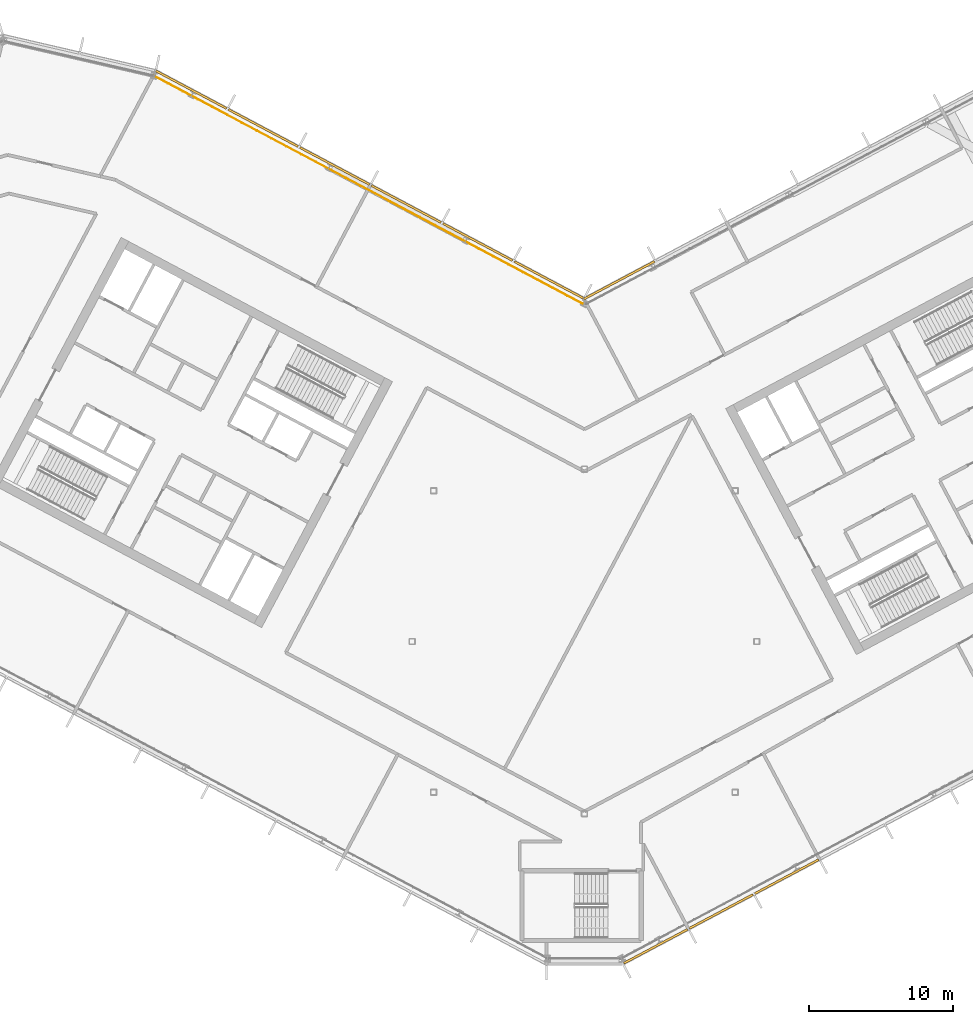
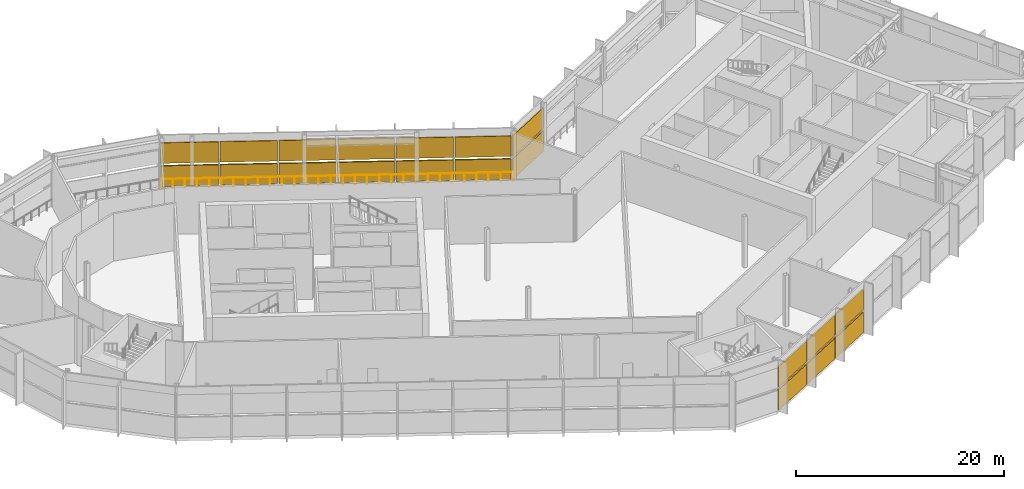
# One storey, part 28 of 33: 20 shading devices, 1 railing, 3 elements without a shape of their own.
"""IFC4 building model written with IfcOpenShell, lengths in metres."""

from ifc_helpers import new_model, si_unit, direction, frame, origin, origin_2d, place, context, subcontext, project, spatial, polyline, rectangle, outline, extrude, material, layer, layer_set, type_object, element, aggregate, save


model = new_model("IFC4")

# Units and contexts
model_context = context("Model", 3, precision=1e-05, world=origin(), true_north=direction((0.0, 1.0)))
body_context = subcontext(model_context, "Body", "Model", "MODEL_VIEW")
ifc_project = project(units=[si_unit("LENGTHUNIT", "METRE"), si_unit("AREAUNIT", "SQUARE_METRE"), si_unit("VOLUMEUNIT", "CUBIC_METRE"), si_unit("PLANEANGLEUNIT", "RADIAN"), si_unit("MASSUNIT", "GRAM", prefix="KILO")], contexts=[model_context])

# Site, building, storey
site_placement = place(None, origin())
site = spatial("IfcSite", under=ifc_project, at=site_placement, CompositionType="ELEMENT")
building_placement = place(site_placement, origin())
building = spatial("IfcBuilding", under=site, at=building_placement, Name="Cormorant Relay Tower", CompositionType="ELEMENT")
storey_placement = place(building_placement, frame((0.0, 0.0, 252.0)))
storey = spatial("IfcBuildingStorey", under=building, at=storey_placement, Name="L56", CompositionType="ELEMENT", Elevation=252.0)

# Railing
ifc_material_1 = material(Name="Stainless steel 316 guard", Category="steel")
railing_type = type_object("IfcRailingType", Name="Band louvre guard 1100", PredefinedType="GUARDRAIL", material=ifc_material_1)
railing_placement = place(storey_placement, frame((-0.140869140625, 23.51904296875, 0.0)))
element("IfcRailing", 1, at=railing_placement, inside=storey, type_object=railing_type, Name="CW4 guard 9", PredefinedType="GUARDRAIL", context=body_context, shape_type="SweptSolid", body=[
    extrude(outline(polyline([(0.022216796875, 0.00927734375), (0.00927734375, 0.022216796875), (-0.00927734375, 0.022216796875), (-0.022216796875, 0.00927734375), (-0.022216796875, -0.00927734375), (-0.00927734375, -0.022216796875), (0.00927734375, -0.022216796875), (0.022216796875, -0.00927734375), (0.022216796875, 0.00927734375)])), frame((0.0, 0.0, 1.076171875), z_axis=(-0.882946280328, 0.46947403129, 0.0), x_axis=(-0.46947403129, -0.882946280328, 0.0)), (0.0, 0.0, 1.0), 33.834228515625),
    extrude(outline(polyline([(0.019287109375, 0.008056640625), (0.008056640625, 0.019287109375), (-0.008056640625, 0.019287109375), (-0.019287109375, 0.008056640625), (-0.019287109375, -0.008056640625), (-0.008056640625, -0.019287109375), (0.008056640625, -0.019287109375), (0.019287109375, -0.008056640625), (0.019287109375, 0.008056640625)])), origin(), (0.0, 0.0, 1.0), 1.052001953125),
    extrude(outline(polyline([(0.019287109375, 0.008056640625), (0.008056640625, 0.019287109375), (-0.008056640625, 0.019287109375), (-0.019287109375, 0.008056640625), (-0.019287109375, -0.008056640625), (-0.008056640625, -0.019287109375), (0.008056640625, -0.019287109375), (0.019287109375, -0.008056640625), (0.019287109375, 0.008056640625)])), frame((-1.030029296875, 0.5478515625, 0.0)), (0.0, 0.0, 1.0), 1.052001953125),
    extrude(outline(polyline([(0.019287109375, 0.008056640625), (0.008056640625, 0.019287109375), (-0.008056640625, 0.019287109375), (-0.019287109375, 0.008056640625), (-0.019287109375, -0.008056640625), (-0.008056640625, -0.019287109375), (0.008056640625, -0.019287109375), (0.019287109375, -0.008056640625), (0.019287109375, 0.008056640625)])), frame((-2.060302734375, 1.095458984375, 0.0)), (0.0, 0.0, 1.0), 1.052001953125),
    extrude(outline(polyline([(0.019287109375, 0.008056640625), (0.008056640625, 0.019287109375), (-0.008056640625, 0.019287109375), (-0.019287109375, 0.008056640625), (-0.019287109375, -0.008056640625), (-0.008056640625, -0.019287109375), (0.008056640625, -0.019287109375), (0.019287109375, -0.008056640625), (0.019287109375, 0.008056640625)])), frame((-3.09033203125, 1.643310546875, 0.0)), (0.0, 0.0, 1.0), 1.052001953125),
    extrude(outline(polyline([(0.019287109375, 0.008056640625), (0.008056640625, 0.019287109375), (-0.008056640625, 0.019287109375), (-0.019287109375, 0.008056640625), (-0.019287109375, -0.008056640625), (-0.008056640625, -0.019287109375), (0.008056640625, -0.019287109375), (0.019287109375, -0.008056640625), (0.019287109375, 0.008056640625)])), frame((-4.12060546875, 2.19091796875, 0.0)), (0.0, 0.0, 1.0), 1.052001953125),
    extrude(outline(polyline([(0.019287109375, 0.008056640625), (0.008056640625, 0.019287109375), (-0.008056640625, 0.019287109375), (-0.019287109375, 0.008056640625), (-0.019287109375, -0.008056640625), (-0.008056640625, -0.019287109375), (0.008056640625, -0.019287109375), (0.019287109375, -0.008056640625), (0.019287109375, 0.008056640625)])), frame((-5.150634765625, 2.73876953125, 0.0)), (0.0, 0.0, 1.0), 1.052001953125),
    extrude(outline(polyline([(0.019287109375, 0.008056640625), (0.008056640625, 0.019287109375), (-0.008056640625, 0.019287109375), (-0.019287109375, 0.008056640625), (-0.019287109375, -0.008056640625), (-0.008056640625, -0.019287109375), (0.008056640625, -0.019287109375), (0.019287109375, -0.008056640625), (0.019287109375, 0.008056640625)])), frame((-6.1806640625, 3.286376953125, 0.0)), (0.0, 0.0, 1.0), 1.052001953125),
    extrude(outline(polyline([(0.019287109375, 0.008056640625), (0.008056640625, 0.019287109375), (-0.008056640625, 0.019287109375), (-0.019287109375, 0.008056640625), (-0.019287109375, -0.008056640625), (-0.008056640625, -0.019287109375), (0.008056640625, -0.019287109375), (0.019287109375, -0.008056640625), (0.019287109375, 0.008056640625)])), frame((-7.2109375, 3.834228515625, 0.0)), (0.0, 0.0, 1.0), 1.052001953125),
    extrude(outline(polyline([(0.019287109375, 0.008056640625), (0.008056640625, 0.019287109375), (-0.008056640625, 0.019287109375), (-0.019287109375, 0.008056640625), (-0.019287109375, -0.008056640625), (-0.008056640625, -0.019287109375), (0.008056640625, -0.019287109375), (0.019287109375, -0.008056640625), (0.019287109375, 0.008056640625)])), frame((-8.240966796875, 4.3818359375, 0.0)), (0.0, 0.0, 1.0), 1.052001953125),
    extrude(outline(polyline([(0.019287109375, 0.008056640625), (0.008056640625, 0.019287109375), (-0.008056640625, 0.019287109375), (-0.019287109375, 0.008056640625), (-0.019287109375, -0.008056640625), (-0.008056640625, -0.019287109375), (0.008056640625, -0.019287109375), (0.019287109375, -0.008056640625), (0.019287109375, 0.008056640625)])), frame((-9.271240234375, 4.9296875, 0.0)), (0.0, 0.0, 1.0), 1.052001953125),
    extrude(outline(polyline([(0.019287109375, 0.008056640625), (0.008056640625, 0.019287109375), (-0.008056640625, 0.019287109375), (-0.019287109375, 0.008056640625), (-0.019287109375, -0.008056640625), (-0.008056640625, -0.019287109375), (0.008056640625, -0.019287109375), (0.019287109375, -0.008056640625), (0.019287109375, 0.008056640625)])), frame((-10.30126953125, 5.477294921875, 0.0)), (0.0, 0.0, 1.0), 1.052001953125),
    extrude(outline(polyline([(0.019287109375, 0.008056640625), (0.008056640625, 0.019287109375), (-0.008056640625, 0.019287109375), (-0.019287109375, 0.008056640625), (-0.019287109375, -0.008056640625), (-0.008056640625, -0.019287109375), (0.008056640625, -0.019287109375), (0.019287109375, -0.008056640625), (0.019287109375, 0.008056640625)])), frame((-11.33154296875, 6.025146484375, 0.0)), (0.0, 0.0, 1.0), 1.052001953125),
    extrude(outline(polyline([(0.019287109375, 0.008056640625), (0.008056640625, 0.019287109375), (-0.008056640625, 0.019287109375), (-0.019287109375, 0.008056640625), (-0.019287109375, -0.008056640625), (-0.008056640625, -0.019287109375), (0.008056640625, -0.019287109375), (0.019287109375, -0.008056640625), (0.019287109375, 0.008056640625)])), frame((-12.361572265625, 6.57275390625, 0.0)), (0.0, 0.0, 1.0), 1.052001953125),
    extrude(outline(polyline([(0.019287109375, 0.008056640625), (0.008056640625, 0.019287109375), (-0.008056640625, 0.019287109375), (-0.019287109375, 0.008056640625), (-0.019287109375, -0.008056640625), (-0.008056640625, -0.019287109375), (0.008056640625, -0.019287109375), (0.019287109375, -0.008056640625), (0.019287109375, 0.008056640625)])), frame((-13.3916015625, 7.12060546875, 0.0)), (0.0, 0.0, 1.0), 1.052001953125),
    extrude(outline(polyline([(0.019287109375, 0.008056640625), (0.008056640625, 0.019287109375), (-0.008056640625, 0.019287109375), (-0.019287109375, 0.008056640625), (-0.019287109375, -0.008056640625), (-0.008056640625, -0.019287109375), (0.008056640625, -0.019287109375), (0.019287109375, -0.008056640625), (0.019287109375, 0.008056640625)])), frame((-14.421875, 7.668212890625, 0.0)), (0.0, 0.0, 1.0), 1.052001953125),
    extrude(outline(polyline([(0.019287109375, 0.008056640625), (0.008056640625, 0.019287109375), (-0.008056640625, 0.019287109375), (-0.019287109375, 0.008056640625), (-0.019287109375, -0.008056640625), (-0.008056640625, -0.019287109375), (0.008056640625, -0.019287109375), (0.019287109375, -0.008056640625), (0.019287109375, 0.008056640625)])), frame((-15.451904296875, 8.216064453125, 0.0)), (0.0, 0.0, 1.0), 1.052001953125),
    extrude(outline(polyline([(0.019287109375, 0.008056640625), (0.008056640625, 0.019287109375), (-0.008056640625, 0.019287109375), (-0.019287109375, 0.008056640625), (-0.019287109375, -0.008056640625), (-0.008056640625, -0.019287109375), (0.008056640625, -0.019287109375), (0.019287109375, -0.008056640625), (0.019287109375, 0.008056640625)])), frame((-16.482177734375, 8.763671875, 0.0)), (0.0, 0.0, 1.0), 1.052001953125),
    extrude(outline(polyline([(0.019287109375, 0.008056640625), (0.008056640625, 0.019287109375), (-0.008056640625, 0.019287109375), (-0.019287109375, 0.008056640625), (-0.019287109375, -0.008056640625), (-0.008056640625, -0.019287109375), (0.008056640625, -0.019287109375), (0.019287109375, -0.008056640625), (0.019287109375, 0.008056640625)])), frame((-17.51220703125, 9.3115234375, 0.0)), (0.0, 0.0, 1.0), 1.052001953125),
    extrude(outline(polyline([(0.019287109375, 0.008056640625), (0.008056640625, 0.019287109375), (-0.008056640625, 0.019287109375), (-0.019287109375, 0.008056640625), (-0.019287109375, -0.008056640625), (-0.008056640625, -0.019287109375), (0.008056640625, -0.019287109375), (0.019287109375, -0.008056640625), (0.019287109375, 0.008056640625)])), frame((-18.542236328125, 9.859130859375, 0.0)), (0.0, 0.0, 1.0), 1.052001953125),
    extrude(outline(polyline([(0.019287109375, 0.008056640625), (0.008056640625, 0.019287109375), (-0.008056640625, 0.019287109375), (-0.019287109375, 0.008056640625), (-0.019287109375, -0.008056640625), (-0.008056640625, -0.019287109375), (0.008056640625, -0.019287109375), (0.019287109375, -0.008056640625), (0.019287109375, 0.008056640625)])), frame((-19.572509765625, 10.406982421875, 0.0)), (0.0, 0.0, 1.0), 1.052001953125),
    extrude(outline(polyline([(0.019287109375, 0.008056640625), (0.008056640625, 0.019287109375), (-0.008056640625, 0.019287109375), (-0.019287109375, 0.008056640625), (-0.019287109375, -0.008056640625), (-0.008056640625, -0.019287109375), (0.008056640625, -0.019287109375), (0.019287109375, -0.008056640625), (0.019287109375, 0.008056640625)])), frame((-20.6025390625, 10.95458984375, 0.0)), (0.0, 0.0, 1.0), 1.052001953125),
    extrude(outline(polyline([(0.019287109375, 0.008056640625), (0.008056640625, 0.019287109375), (-0.008056640625, 0.019287109375), (-0.019287109375, 0.008056640625), (-0.019287109375, -0.008056640625), (-0.008056640625, -0.019287109375), (0.008056640625, -0.019287109375), (0.019287109375, -0.008056640625), (0.019287109375, 0.008056640625)])), frame((-21.6328125, 11.50244140625, 0.0)), (0.0, 0.0, 1.0), 1.052001953125),
    extrude(outline(polyline([(0.019287109375, 0.008056640625), (0.008056640625, 0.019287109375), (-0.008056640625, 0.019287109375), (-0.019287109375, 0.008056640625), (-0.019287109375, -0.008056640625), (-0.008056640625, -0.019287109375), (0.008056640625, -0.019287109375), (0.019287109375, -0.008056640625), (0.019287109375, 0.008056640625)])), frame((-22.662841796875, 12.050048828125, 0.0)), (0.0, 0.0, 1.0), 1.052001953125),
    extrude(outline(polyline([(0.019287109375, 0.008056640625), (0.008056640625, 0.019287109375), (-0.008056640625, 0.019287109375), (-0.019287109375, 0.008056640625), (-0.019287109375, -0.008056640625), (-0.008056640625, -0.019287109375), (0.008056640625, -0.019287109375), (0.019287109375, -0.008056640625), (0.019287109375, 0.008056640625)])), frame((-23.693115234375, 12.597900390625, 0.0)), (0.0, 0.0, 1.0), 1.052001953125),
    extrude(outline(polyline([(0.019287109375, 0.008056640625), (0.008056640625, 0.019287109375), (-0.008056640625, 0.019287109375), (-0.019287109375, 0.008056640625), (-0.019287109375, -0.008056640625), (-0.008056640625, -0.019287109375), (0.008056640625, -0.019287109375), (0.019287109375, -0.008056640625), (0.019287109375, 0.008056640625)])), frame((-24.72314453125, 13.1455078125, 0.0)), (0.0, 0.0, 1.0), 1.052001953125),
    extrude(outline(polyline([(0.019287109375, 0.008056640625), (0.008056640625, 0.019287109375), (-0.008056640625, 0.019287109375), (-0.019287109375, 0.008056640625), (-0.019287109375, -0.008056640625), (-0.008056640625, -0.019287109375), (0.008056640625, -0.019287109375), (0.019287109375, -0.008056640625), (0.019287109375, 0.008056640625)])), frame((-25.753173828125, 13.693359375, 0.0)), (0.0, 0.0, 1.0), 1.052001953125),
    extrude(outline(polyline([(0.019287109375, 0.008056640625), (0.008056640625, 0.019287109375), (-0.008056640625, 0.019287109375), (-0.019287109375, 0.008056640625), (-0.019287109375, -0.008056640625), (-0.008056640625, -0.019287109375), (0.008056640625, -0.019287109375), (0.019287109375, -0.008056640625), (0.019287109375, 0.008056640625)])), frame((-26.783447265625, 14.240966796875, 0.0)), (0.0, 0.0, 1.0), 1.052001953125),
    extrude(outline(polyline([(0.019287109375, 0.008056640625), (0.008056640625, 0.019287109375), (-0.008056640625, 0.019287109375), (-0.019287109375, 0.008056640625), (-0.019287109375, -0.008056640625), (-0.008056640625, -0.019287109375), (0.008056640625, -0.019287109375), (0.019287109375, -0.008056640625), (0.019287109375, 0.008056640625)])), frame((-27.8134765625, 14.788818359375, 0.0)), (0.0, 0.0, 1.0), 1.052001953125),
    extrude(outline(polyline([(0.019287109375, 0.008056640625), (0.008056640625, 0.019287109375), (-0.008056640625, 0.019287109375), (-0.019287109375, 0.008056640625), (-0.019287109375, -0.008056640625), (-0.008056640625, -0.019287109375), (0.008056640625, -0.019287109375), (0.019287109375, -0.008056640625), (0.019287109375, 0.008056640625)])), frame((-28.84375, 15.33642578125, 0.0)), (0.0, 0.0, 1.0), 1.052001953125),
    extrude(outline(polyline([(0.019287109375, 0.008056640625), (0.008056640625, 0.019287109375), (-0.008056640625, 0.019287109375), (-0.019287109375, 0.008056640625), (-0.019287109375, -0.008056640625), (-0.008056640625, -0.019287109375), (0.008056640625, -0.019287109375), (0.019287109375, -0.008056640625), (0.019287109375, 0.008056640625)])), frame((-29.873779296875, 15.88427734375, 0.0)), (0.0, 0.0, 1.0), 1.052001953125),
])

# Curtain wall, shading devices
ifc_material_2 = material(Name="Aluminium 6063-T6 anodised bronze", Category="aluminium")
ifc_layer = layer(ifc_material_2, 0.199951171875)
ifc_layer_set = layer_set([ifc_layer], Name="CW4 band louvre wall")
curtain_wall_type = type_object("IfcCurtainWallType", Name="CW4 band louvre wall", PredefinedType="NOTDEFINED", material=ifc_layer_set)
curtain_wall_1_placement = place(storey_placement, origin())
curtain_wall_1 = element("IfcCurtainWall", 2, at=curtain_wall_1_placement, inside=storey, type_object=curtain_wall_type, Name="CW4 curtain wall 2", PredefinedType="NOTDEFINED")
ifc_material_3 = material(Name="Aluminium 6063-T6 anodised bronze louvre", Category="aluminium")
shading_device_type = type_object("IfcShadingDeviceType", Name="CW4 bronze louvre bank 150 x 2400", PredefinedType="USERDEFINED", material=ifc_material_3)
shading_device_1_placement = place(storey_placement, frame((4.965087890625, -21.22900390625, 2.699951171875), z_axis=(0.0, 0.0, 1.0), x_axis=(0.882947592859, 0.469471562786, 0.0)))
shading_device_1 = element("IfcShadingDevice", 3, at=shading_device_1_placement, type_object=shading_device_type, Name="CW4 louvre bank U2.1", ObjectType="LOUVRE", PredefinedType="USERDEFINED", context=body_context, shape_type="SweptSolid", body=[
    extrude(rectangle(XDim=5.0166015625, YDim=0.14990234375, at=origin_2d()), origin(), (0.0, 0.0, 1.0), 2.39990234375),
])
shading_device_2_placement = place(storey_placement, frame((4.965087890625, -21.22900390625, 0.0), z_axis=(0.0, 0.0, 1.0), x_axis=(0.882947592859, 0.469471562786, 0.0)))
shading_device_2 = element("IfcShadingDevice", 4, at=shading_device_2_placement, type_object=shading_device_type, Name="CW4 louvre bank D2.1", ObjectType="LOUVRE", PredefinedType="USERDEFINED", context=body_context, shape_type="SweptSolid", body=[
    extrude(rectangle(XDim=5.0166015625, YDim=0.14990234375, at=origin_2d()), origin(), (0.0, 0.0, 1.0), 2.39990234375),
])
shading_device_3_placement = place(storey_placement, frame((9.52685546875, -18.803466796875, 2.699951171875), z_axis=(0.0, 0.0, 1.0), x_axis=(0.882947592859, 0.469471562786, 0.0)))
shading_device_3 = element("IfcShadingDevice", 5, at=shading_device_3_placement, type_object=shading_device_type, Name="CW4 louvre bank U2.2", ObjectType="LOUVRE", PredefinedType="USERDEFINED", context=body_context, shape_type="SweptSolid", body=[
    extrude(rectangle(XDim=5.0166015625, YDim=0.14990234375, at=origin_2d()), origin(), (0.0, 0.0, 1.0), 2.39990234375),
])
shading_device_4_placement = place(storey_placement, frame((9.52685546875, -18.803466796875, 0.0), z_axis=(0.0, 0.0, 1.0), x_axis=(0.882947592859, 0.469471562786, 0.0)))
shading_device_4 = element("IfcShadingDevice", 6, at=shading_device_4_placement, type_object=shading_device_type, Name="CW4 louvre bank D2.2", ObjectType="LOUVRE", PredefinedType="USERDEFINED", context=body_context, shape_type="SweptSolid", body=[
    extrude(rectangle(XDim=5.0166015625, YDim=0.14990234375, at=origin_2d()), origin(), (0.0, 0.0, 1.0), 2.39990234375),
])
shading_device_5_placement = place(storey_placement, frame((14.088623046875, -16.3779296875, 2.699951171875), z_axis=(0.0, 0.0, 1.0), x_axis=(0.882947592859, 0.469471562786, 0.0)))
shading_device_5 = element("IfcShadingDevice", 7, at=shading_device_5_placement, type_object=shading_device_type, Name="CW4 louvre bank U2.3", ObjectType="LOUVRE", PredefinedType="USERDEFINED", context=body_context, shape_type="SweptSolid", body=[
    extrude(rectangle(XDim=5.0166015625, YDim=0.14990234375, at=origin_2d()), origin(), (0.0, 0.0, 1.0), 2.39990234375),
])
shading_device_6_placement = place(storey_placement, frame((14.088623046875, -16.3779296875, 0.0), z_axis=(0.0, 0.0, 1.0), x_axis=(0.882947592859, 0.469471562786, 0.0)))
shading_device_6 = element("IfcShadingDevice", 8, at=shading_device_6_placement, type_object=shading_device_type, Name="CW4 louvre bank D2.3", ObjectType="LOUVRE", PredefinedType="USERDEFINED", context=body_context, shape_type="SweptSolid", body=[
    extrude(rectangle(XDim=5.0166015625, YDim=0.14990234375, at=origin_2d()), origin(), (0.0, 0.0, 1.0), 2.39990234375),
])
aggregate(curtain_wall_1, [shading_device_1, shading_device_2, shading_device_3, shading_device_4, shading_device_5, shading_device_6])

curtain_wall_2_placement = place(storey_placement, origin())
curtain_wall_2 = element("IfcCurtainWall", 9, at=curtain_wall_2_placement, inside=storey, type_object=curtain_wall_type, Name="CW4 curtain wall 8", PredefinedType="NOTDEFINED")
shading_device_7_placement = place(storey_placement, frame((2.421142578125, 25.15625, 2.699951171875), z_axis=(0.0, 0.0, 1.0), x_axis=(-0.882947592859, -0.469471562786, 0.0)))
shading_device_7 = element("IfcShadingDevice", 10, at=shading_device_7_placement, type_object=shading_device_type, Name="CW4 louvre bank U8.6", ObjectType="LOUVRE", PredefinedType="USERDEFINED", context=body_context, shape_type="SweptSolid", body=[
    extrude(rectangle(XDim=5.56396484375, YDim=0.14990234375, at=origin_2d()), origin(), (0.0, 0.0, 1.0), 2.39990234375),
])
shading_device_8_placement = place(storey_placement, frame((2.421142578125, 25.15625, 0.0), z_axis=(0.0, 0.0, 1.0), x_axis=(-0.882947592859, -0.469471562786, 0.0)))
shading_device_8 = element("IfcShadingDevice", 11, at=shading_device_8_placement, type_object=shading_device_type, Name="CW4 louvre bank D8.6", ObjectType="LOUVRE", PredefinedType="USERDEFINED", context=body_context, shape_type="SweptSolid", body=[
    extrude(rectangle(XDim=5.56396484375, YDim=0.14990234375, at=origin_2d()), origin(), (0.0, 0.0, 1.0), 2.39990234375),
])
aggregate(curtain_wall_2, [shading_device_7, shading_device_8])

curtain_wall_3_placement = place(storey_placement, origin())
curtain_wall_3 = element("IfcCurtainWall", 12, at=curtain_wall_3_placement, inside=storey, type_object=curtain_wall_type, Name="CW4 curtain wall 9", PredefinedType="NOTDEFINED")
shading_device_9_placement = place(storey_placement, frame((-2.4873046875, 25.19140625, 2.699951171875), z_axis=(0.0, 0.0, 1.0), x_axis=(-0.882947592859, 0.469471562786, 0.0)))
shading_device_9 = element("IfcShadingDevice", 13, at=shading_device_9_placement, type_object=shading_device_type, Name="CW4 louvre bank U9.1", ObjectType="LOUVRE", PredefinedType="USERDEFINED", context=body_context, shape_type="SweptSolid", body=[
    extrude(rectangle(XDim=5.4140625, YDim=0.14990234375, at=origin_2d()), origin(), (0.0, 0.0, 1.0), 2.39990234375),
])
shading_device_10_placement = place(storey_placement, frame((-2.4873046875, 25.19140625, 0.0), z_axis=(0.0, 0.0, 1.0), x_axis=(-0.882947592859, 0.469471562786, 0.0)))
shading_device_10 = element("IfcShadingDevice", 14, at=shading_device_10_placement, type_object=shading_device_type, Name="CW4 louvre bank D9.1", ObjectType="LOUVRE", PredefinedType="USERDEFINED", context=body_context, shape_type="SweptSolid", body=[
    extrude(rectangle(XDim=5.4140625, YDim=0.14990234375, at=origin_2d()), origin(), (0.0, 0.0, 1.0), 2.39990234375),
])
shading_device_11_placement = place(storey_placement, frame((-7.43310546875, 27.8212890625, 2.699951171875), z_axis=(0.0, 0.0, 1.0), x_axis=(-0.882947592859, 0.469471562786, 0.0)))
shading_device_11 = element("IfcShadingDevice", 15, at=shading_device_11_placement, type_object=shading_device_type, Name="CW4 louvre bank U9.2", ObjectType="LOUVRE", PredefinedType="USERDEFINED", context=body_context, shape_type="SweptSolid", body=[
    extrude(rectangle(XDim=5.489013671875, YDim=0.14990234375, at=origin_2d()), origin(), (0.0, 0.0, 1.0), 2.39990234375),
])
shading_device_12_placement = place(storey_placement, frame((-7.43310546875, 27.8212890625, 0.0), z_axis=(0.0, 0.0, 1.0), x_axis=(-0.882947592859, 0.469471562786, 0.0)))
shading_device_12 = element("IfcShadingDevice", 16, at=shading_device_12_placement, type_object=shading_device_type, Name="CW4 louvre bank D9.2", ObjectType="LOUVRE", PredefinedType="USERDEFINED", context=body_context, shape_type="SweptSolid", body=[
    extrude(rectangle(XDim=5.489013671875, YDim=0.14990234375, at=origin_2d()), origin(), (0.0, 0.0, 1.0), 2.39990234375),
])
shading_device_13_placement = place(storey_placement, frame((-12.412109375, 30.468505859375, 2.699951171875), z_axis=(0.0, 0.0, 1.0), x_axis=(-0.882947592859, 0.469471562786, 0.0)))
shading_device_13 = element("IfcShadingDevice", 17, at=shading_device_13_placement, type_object=shading_device_type, Name="CW4 louvre bank U9.3", ObjectType="LOUVRE", PredefinedType="USERDEFINED", context=body_context, shape_type="SweptSolid", body=[
    extrude(rectangle(XDim=5.489013671875, YDim=0.14990234375, at=origin_2d()), origin(), (0.0, 0.0, 1.0), 2.39990234375),
])
shading_device_14_placement = place(storey_placement, frame((-12.412109375, 30.468505859375, 0.0), z_axis=(0.0, 0.0, 1.0), x_axis=(-0.882947592859, 0.469471562786, 0.0)))
shading_device_14 = element("IfcShadingDevice", 18, at=shading_device_14_placement, type_object=shading_device_type, Name="CW4 louvre bank D9.3", ObjectType="LOUVRE", PredefinedType="USERDEFINED", context=body_context, shape_type="SweptSolid", body=[
    extrude(rectangle(XDim=5.489013671875, YDim=0.14990234375, at=origin_2d()), origin(), (0.0, 0.0, 1.0), 2.39990234375),
])
shading_device_15_placement = place(storey_placement, frame((-17.39111328125, 33.115966796875, 2.699951171875), z_axis=(0.0, 0.0, 1.0), x_axis=(-0.882947592859, 0.469471562786, 0.0)))
shading_device_15 = element("IfcShadingDevice", 19, at=shading_device_15_placement, type_object=shading_device_type, Name="CW4 louvre bank U9.4", ObjectType="LOUVRE", PredefinedType="USERDEFINED", context=body_context, shape_type="SweptSolid", body=[
    extrude(rectangle(XDim=5.489013671875, YDim=0.14990234375, at=origin_2d()), origin(), (0.0, 0.0, 1.0), 2.39990234375),
])
shading_device_16_placement = place(storey_placement, frame((-17.39111328125, 33.115966796875, 0.0), z_axis=(0.0, 0.0, 1.0), x_axis=(-0.882947592859, 0.469471562786, 0.0)))
shading_device_16 = element("IfcShadingDevice", 20, at=shading_device_16_placement, type_object=shading_device_type, Name="CW4 louvre bank D9.4", ObjectType="LOUVRE", PredefinedType="USERDEFINED", context=body_context, shape_type="SweptSolid", body=[
    extrude(rectangle(XDim=5.489013671875, YDim=0.14990234375, at=origin_2d()), origin(), (0.0, 0.0, 1.0), 2.39990234375),
])
shading_device_17_placement = place(storey_placement, frame((-22.3701171875, 35.76318359375, 2.699951171875), z_axis=(0.0, 0.0, 1.0), x_axis=(-0.882947592859, 0.469471562786, 0.0)))
shading_device_17 = element("IfcShadingDevice", 21, at=shading_device_17_placement, type_object=shading_device_type, Name="CW4 louvre bank U9.5", ObjectType="LOUVRE", PredefinedType="USERDEFINED", context=body_context, shape_type="SweptSolid", body=[
    extrude(rectangle(XDim=5.489013671875, YDim=0.14990234375, at=origin_2d()), origin(), (0.0, 0.0, 1.0), 2.39990234375),
])
shading_device_18_placement = place(storey_placement, frame((-22.3701171875, 35.76318359375, 0.0), z_axis=(0.0, 0.0, 1.0), x_axis=(-0.882947592859, 0.469471562786, 0.0)))
shading_device_18 = element("IfcShadingDevice", 22, at=shading_device_18_placement, type_object=shading_device_type, Name="CW4 louvre bank D9.5", ObjectType="LOUVRE", PredefinedType="USERDEFINED", context=body_context, shape_type="SweptSolid", body=[
    extrude(rectangle(XDim=5.489013671875, YDim=0.14990234375, at=origin_2d()), origin(), (0.0, 0.0, 1.0), 2.39990234375),
])
shading_device_19_placement = place(storey_placement, frame((-27.382080078125, 38.42822265625, 2.699951171875), z_axis=(0.0, 0.0, 1.0), x_axis=(-0.882947592859, 0.469471562786, 0.0)))
shading_device_19 = element("IfcShadingDevice", 23, at=shading_device_19_placement, type_object=shading_device_type, Name="CW4 louvre bank U9.6", ObjectType="LOUVRE", PredefinedType="USERDEFINED", context=body_context, shape_type="SweptSolid", body=[
    extrude(rectangle(XDim=5.56396484375, YDim=0.14990234375, at=origin_2d()), origin(), (0.0, 0.0, 1.0), 2.39990234375),
])
shading_device_20_placement = place(storey_placement, frame((-27.382080078125, 38.42822265625, 0.0), z_axis=(0.0, 0.0, 1.0), x_axis=(-0.882947592859, 0.469471562786, 0.0)))
shading_device_20 = element("IfcShadingDevice", 24, at=shading_device_20_placement, type_object=shading_device_type, Name="CW4 louvre bank D9.6", ObjectType="LOUVRE", PredefinedType="USERDEFINED", context=body_context, shape_type="SweptSolid", body=[
    extrude(rectangle(XDim=5.56396484375, YDim=0.14990234375, at=origin_2d()), origin(), (0.0, 0.0, 1.0), 2.39990234375),
])
aggregate(curtain_wall_3, [shading_device_9, shading_device_10, shading_device_11, shading_device_12, shading_device_13, shading_device_14, shading_device_15, shading_device_16, shading_device_17, shading_device_18, shading_device_19, shading_device_20])

save(model, "model.ifc")
